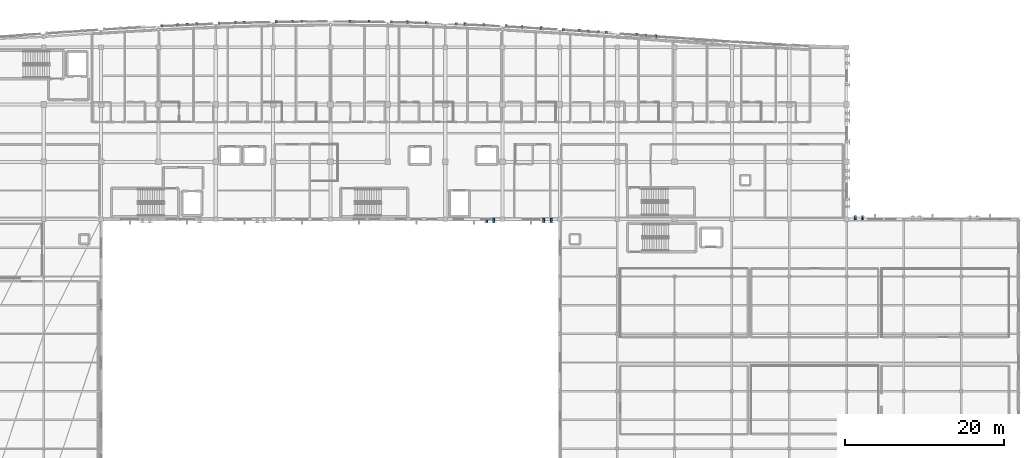
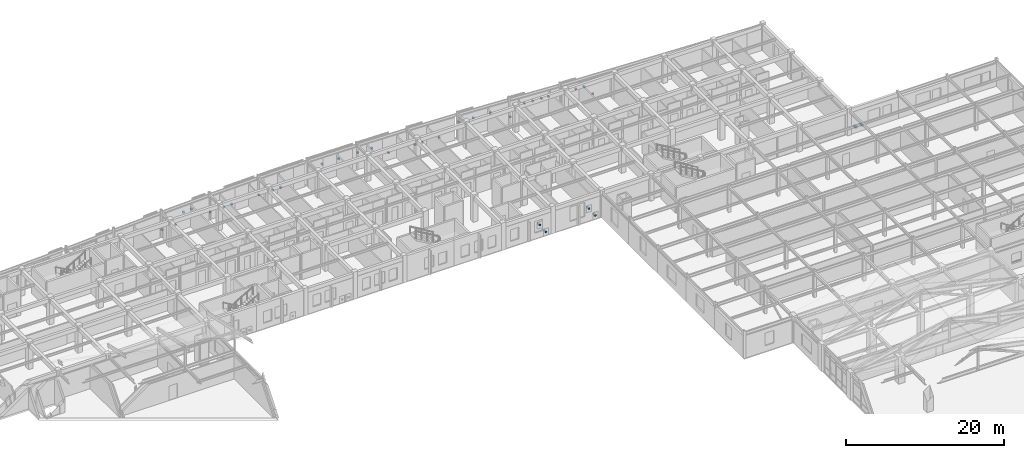
# One storey, part 104 of 113: 35 discrete accessories.
"""IFC4 building model written with IfcOpenShell, lengths in metres."""

from ifc_helpers import new_model, si_unit, direction, frame, origin, origin_2d, place, context, subcontext, project, spatial, rectangle, extrude, material, type_object, element, save


model = new_model("IFC4")

# Units and contexts
model_context = context("Model", 3, precision=1e-05, world=origin(), true_north=direction((0.0, 1.0)))
body_context = subcontext(model_context, "Body", "Model", "MODEL_VIEW")
ifc_project = project(units=[si_unit("LENGTHUNIT", "METRE"), si_unit("AREAUNIT", "SQUARE_METRE"), si_unit("VOLUMEUNIT", "CUBIC_METRE"), si_unit("PLANEANGLEUNIT", "RADIAN"), si_unit("MASSUNIT", "GRAM", prefix="KILO")], contexts=[model_context])

# Site, building, storey
site_placement = place(None, origin())
site = spatial("IfcSite", under=ifc_project, at=site_placement, CompositionType="ELEMENT")
building_placement = place(site_placement, origin())
building = spatial("IfcBuilding", under=site, at=building_placement, Name="Carrowvane Square Congress Hotel", CompositionType="ELEMENT")
storey_placement = place(building_placement, frame((0.0, 0.0, 15.0)))
storey = spatial("IfcBuildingStorey", under=building, at=storey_placement, Name="L03", CompositionType="ELEMENT", Elevation=15.0)

# Discrete accessories
ifc_material = material(Name="Stainless steel 316", Category="steel")
discrete_accessory_type = type_object("IfcDiscreteAccessoryType", Name="ACC-BRK-SS", PredefinedType="BRACKET", material=ifc_material)
for number, where, z_axis, x_axis, name in (
    (1, (76.79052734375, 116.097412109375, 0.56005859375), (0.0, 0.0, 1.0), (0.998733066647, 0.050321581706, 0.0), "Pixel screen mullion bracket 227"),
    (2, (78.831298828125, 116.199951171875, 0.56005859375), (0.0, 0.0, 1.0), (0.998968255262, 0.045413929349, 0.0), "Pixel screen mullion bracket 228"),
    (3, (79.996337890625, 116.2529296875, 2.02978515625), (0.0, 0.0, 1.0), (0.998968255262, 0.045413929349, 0.0), "Pixel screen mullion bracket 229"),
    (4, (81.226806640625, 116.308837890625, 2.02978515625), (0.0, 0.0, 1.0), (0.999194294234, 0.040134304148, 0.0), "Pixel screen mullion bracket 230"),
    (5, (84.002685546875, 116.41796875, 0.56005859375), (0.0, 0.0, 1.0), (0.999403768784, 0.034526901703, 0.0), "Pixel screen mullion bracket 231"),
    (6, (86.027587890625, 116.48779296875, 0.56005859375), (0.0, 0.0, 1.0), (0.999589805464, 0.028639497417, 0.0), "Pixel screen mullion bracket 232"),
    (7, (87.19775390625, 116.521240234375, 0.56005859375), (0.0, 0.0, 1.0), (0.999589805464, 0.028639497417, 0.0), "Pixel screen mullion bracket 233"),
    (8, (91.206298828125, 116.616455078125, 0.56005859375), (0.0, 0.0, 1.0), (0.999868508772, 0.016216200758, 0.0), "Pixel screen mullion bracket 234"),
    (9, (93.234130859375, 116.64892578125, 0.56005859375), (0.0, 0.0, 1.0), (0.999952150705, 0.009782448565, 0.0), "Pixel screen mullion bracket 235"),
    (10, (94.399169921875, 116.660400390625, 0.56005859375), (0.0, 0.0, 1.0), (0.999952150705, 0.009782448565, 0.0), "Pixel screen mullion bracket 236"),
    (11, (100.4306640625, 116.671875, 2.02978515625), (0.0, 0.0, 1.0), (0.999952150705, -0.009782448565, 0.0), "Pixel screen mullion bracket 237"),
    (12, (102.836181640625, 116.648193359375, 2.02978515625), (0.0, 0.0, 1.0), (0.999868508772, -0.016216200758, 0.0), "Pixel screen mullion bracket 238"),
    (13, (105.6240234375, 116.60009765625, 2.02978515625), (0.0, 0.0, 1.0), (0.999746418061, -0.022518871507, 0.0), "Pixel screen mullion bracket 239"),
    (14, (107.63720703125, 116.5546875, 2.02978515625), (0.0, 0.0, 1.0), (0.999589805464, -0.028639497417, 0.0), "Pixel screen mullion bracket 240"),
    (15, (110.03271484375, 116.48583984375, 0.56005859375), (0.0, 0.0, 1.0), (0.999403768784, -0.034526901703, 0.0), "Pixel screen mullion bracket 241"),
    (16, (113.802734375, 116.34765625, 0.56005859375), (0.0, 0.0, 1.0), (0.999194294234, -0.040134304148, 0.0), "Pixel screen mullion bracket 242"),
    (17, (114.83349609375, 116.30615234375, 0.56005859375), (0.0, 0.0, 1.0), (0.998968255262, -0.045413929349, 0.0), "Pixel screen mullion bracket 243"),
    (18, (117.239013671875, 116.196533203125, 0.56005859375), (0.0, 0.0, 1.0), (0.998733066647, -0.050321581706, 0.0), "Pixel screen mullion bracket 244"),
    (19, (120.038818359375, 116.0537109375, 2.02978515625), (0.0, 0.0, 1.0), (0.998496552462, -0.054814548441, 0.0), "Pixel screen mullion bracket 245"),
    (20, (122.03955078125, 115.943603515625, 2.02978515625), (0.0, 0.0, 1.0), (0.998266695506, -0.05885239709, 0.0), "Pixel screen mullion bracket 246"),
    (21, (124.434814453125, 115.80224609375, 2.02978515625), (0.0, 0.0, 1.0), (0.998051413269, -0.062396926785, 0.0), "Pixel screen mullion bracket 247"),
    (22, (127.24853515625, 115.625, 0.56005859375), (0.0, 0.0, 1.0), (0.99785825325, -0.065413350476, 0.0), "Pixel screen mullion bracket 248"),
    (23, (129.2353515625, 115.49462890625, 2.02978515625), (0.0, 0.0, 1.0), (0.9976944394, -0.067866085713, 0.0), "Pixel screen mullion bracket 249"),
    (24, (130.405517578125, 115.4150390625, 2.02978515625), (0.0, 0.0, 1.0), (0.9976944394, -0.067866085713, 0.0), "Pixel screen mullion bracket 250"),
    (25, (131.640380859375, 115.3310546875, 2.02978515625), (0.0, 0.0, 1.0), (0.997566258056, -0.069724893606, 0.0), "Pixel screen mullion bracket 251"),
    (26, (132.626953125, 115.26220703125, 2.02978515625), (0.0, 0.0, 1.0), (0.997566258056, -0.069724893606, 0.0), "Pixel screen mullion bracket 252"),
    (27, (136.440673828125, 114.992431640625, 2.02978515625), (0.0, 0.0, 1.0), (0.997438267187, -0.071532532122, 0.0), "Pixel screen mullion bracket 253"),
    (28, (137.605712890625, 114.908935546875, 2.02978515625), (0.0, 0.0, 1.0), (0.997438267187, -0.071532532122, 0.0), "Pixel screen mullion bracket 254"),
    (29, (138.835693359375, 114.82080078125, 0.56005859375), (0.0, 0.0, 1.0), (0.997446326449, -0.071420066188, 0.0), "Pixel screen mullion bracket 255"),
):
    element("IfcDiscreteAccessory", number, at=place(storey_placement, frame(where, z_axis=z_axis, x_axis=x_axis)), inside=storey, type_object=discrete_accessory_type, Name=name, PredefinedType="BRACKET", context=body_context, shape_type="SweptSolid", body=[
        extrude(rectangle(XDim=0.239990234375, YDim=0.280029296875, at=origin_2d()), origin(), (0.0, 0.0, 1.0), 0.239990234375),
    ])
for number, where, z_axis, x_axis, name in (
    (30, (163.89990234375, 91.9599609375, 0.56005859375), (0.0, 0.0, 1.0), (1.0, 0.0, 0.0), "V5 pixel screen bracket 274"),
    (31, (164.800048828125, 91.9599609375, 0.56005859375), (0.0, 0.0, 1.0), (1.0, 0.0, 0.0), "V5 pixel screen bracket 275"),
    (32, (125.699951171875, 91.639892578125, 0.56005859375), (0.0, 0.0, 1.0), (-1.0, 0.0, 0.0), "V5 pixel screen bracket 280"),
    (33, (124.800048828125, 91.639892578125, 1.93017578125), (0.0, 0.0, 1.0), (-1.0, 0.0, 0.0), "V5 pixel screen bracket 281"),
    (34, (118.5, 91.639892578125, 0.56005859375), (0.0, 0.0, 1.0), (-1.0, 0.0, 0.0), "V5 pixel screen bracket 282"),
    (35, (117.60009765625, 91.639892578125, 1.93017578125), (0.0, 0.0, 1.0), (-1.0, 0.0, 0.0), "V5 pixel screen bracket 283"),
):
    element("IfcDiscreteAccessory", number, at=place(storey_placement, frame(where, z_axis=z_axis, x_axis=x_axis)), inside=storey, type_object=discrete_accessory_type, Name=name, PredefinedType="BRACKET", context=body_context, shape_type="SweptSolid", body=[
        extrude(rectangle(XDim=0.239990234375, YDim=0.52001953125, at=origin_2d()), origin(), (0.0, 0.0, 1.0), 0.239990234375),
    ])

save(model, "model.ifc")
